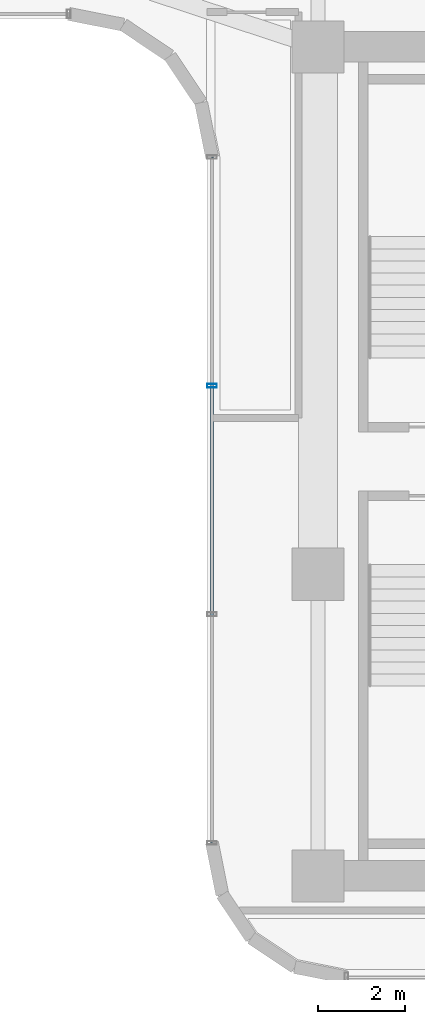
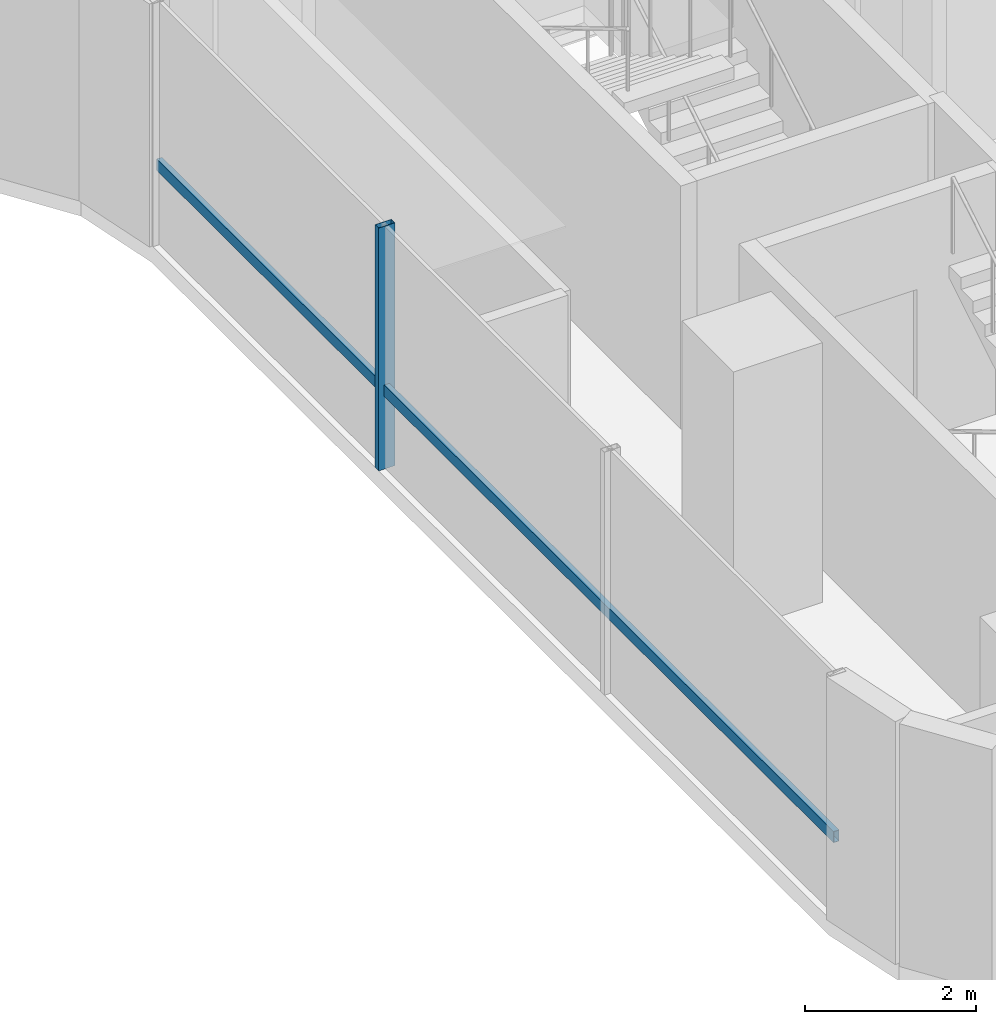
# One storey, part 13 of 35: 2 members, 1 element without a shape of its own.
"""IFC4 building model written with IfcOpenShell, lengths in metres."""

from ifc_helpers import new_model, si_unit, direction, frame, origin, origin_2d, place, context, subcontext, project, spatial, hollow_rectangle, extrude, source, transform, mapped, material, material_profile, profile_set, type_object, element, aggregate, save


model = new_model("IFC4")

# Units and contexts
model_context = context("Model", 3, precision=1e-05, world=origin(), true_north=direction((0.0, 1.0)))
body_context = subcontext(model_context, "Body", "Model", "MODEL_VIEW")
ifc_project = project(units=[si_unit("LENGTHUNIT", "METRE"), si_unit("AREAUNIT", "SQUARE_METRE"), si_unit("VOLUMEUNIT", "CUBIC_METRE"), si_unit("PLANEANGLEUNIT", "RADIAN"), si_unit("MASSUNIT", "GRAM", prefix="KILO")], contexts=[model_context])

# Site, building, storey
site_placement = place(None, origin())
site = spatial("IfcSite", under=ifc_project, at=site_placement, CompositionType="ELEMENT")
building_placement = place(site_placement, origin())
building = spatial("IfcBuilding", under=site, at=building_placement, Name="Valdorenza Pilgrim Sanctuary Tower", CompositionType="ELEMENT")
storey_placement = place(building_placement, frame((0.0, 0.0, 105.699951171875)))
storey = spatial("IfcBuildingStorey", under=building, at=storey_placement, Name="L26", CompositionType="ELEMENT", Elevation=105.699951171875)

# Curtain wall, members
ifc_material_1 = material(Name="Curtain-wall IGU glazing", Category="glass")
curtain_wall_type = type_object("IfcCurtainWallType", Name="CW-SYS-03", PredefinedType="NOTDEFINED", material=ifc_material_1)
curtain_wall_placement = place(storey_placement, origin())
curtain_wall = element("IfcCurtainWall", 1, at=curtain_wall_placement, inside=storey, type_object=curtain_wall_type, Name="L26 Curtain Wall CW-L26-1-31", PredefinedType="NOTDEFINED")
ifc_material_2 = material(Name="Anodised aluminium AW-6060", Category="aluminium")
ifc_material_profile_1 = material_profile(ifc_material_2, hollow_rectangle(XDim=0.0849609375, YDim=0.219970703125, WallThickness=0.0048828125, at=origin_2d()), Name="ALU-M 220x85x5")
ifc_profile_set_1 = profile_set([ifc_material_profile_1], Name="Anodised aluminium AW-6060")
member_type_1 = type_object("IfcMemberType", Name="CW-MUL-03", PredefinedType="MULLION", material=ifc_profile_set_1)
shared_shape_1 = source(origin(), body_context, "Body", "SweptSolid", [
    extrude(hollow_rectangle(XDim=0.0849609375, YDim=0.219970703125, WallThickness=0.0048828125, at=origin_2d()), origin(), (0.0, 0.0, 1.0), 3.4599609375),
])
member_1_placement = place(storey_placement, frame((13.409912109375, 1.744140625, 0.0), z_axis=(0.0, 0.0, 1.0), x_axis=(0.0, 1.0, 0.0)))
member_1 = element("IfcMember", 2, at=member_1_placement, type_object=member_type_1, Name="CW-L26-1-31 Mullion 3", PredefinedType="MULLION", context=body_context, shape_type="MappedRepresentation", body=[
    mapped(shared_shape_1, transform((0.0, 0.0, 0.0), x_axis=(1.0, 0.0, 0.0), y_axis=(0.0, 1.0, 0.0), z_axis=(0.0, 0.0, 1.0), scale=1.0)),
])
ifc_material_profile_2 = material_profile(ifc_material_2, hollow_rectangle(XDim=0.074951171875, YDim=0.159912109375, WallThickness=0.00390625, at=origin_2d()), Name="ALU-T 160x75x4")
ifc_profile_set_2 = profile_set([ifc_material_profile_2], Name="Anodised aluminium AW-6060")
member_type_2 = type_object("IfcMemberType", Name="CW-TRN-03", PredefinedType="USERDEFINED", material=ifc_profile_set_2)
shared_shape_2 = source(origin(), body_context, "Body", "SweptSolid", [
    extrude(hollow_rectangle(XDim=0.074951171875, YDim=0.159912109375, WallThickness=0.00390625, at=origin_2d()), origin(), (0.0, 0.0, 1.0), 15.800048828125),
])
member_2_placement = place(storey_placement, frame((13.409912109375, -8.789306640625, 1.1201171875), z_axis=(0.0, 1.0, 0.0), x_axis=(-1.0, 0.0, 0.0)))
member_2 = element("IfcMember", 3, at=member_2_placement, type_object=member_type_2, Name="CW-L26-1-31 Transom 1", ObjectType="TRANSOM", PredefinedType="USERDEFINED", context=body_context, shape_type="MappedRepresentation", body=[
    mapped(shared_shape_2, transform((0.0, 0.0, 0.0), x_axis=(1.0, 0.0, 0.0), y_axis=(0.0, 1.0, 0.0), z_axis=(0.0, 0.0, 1.0), scale=1.0)),
])
aggregate(curtain_wall, [member_1, member_2])

save(model, "model.ifc")
